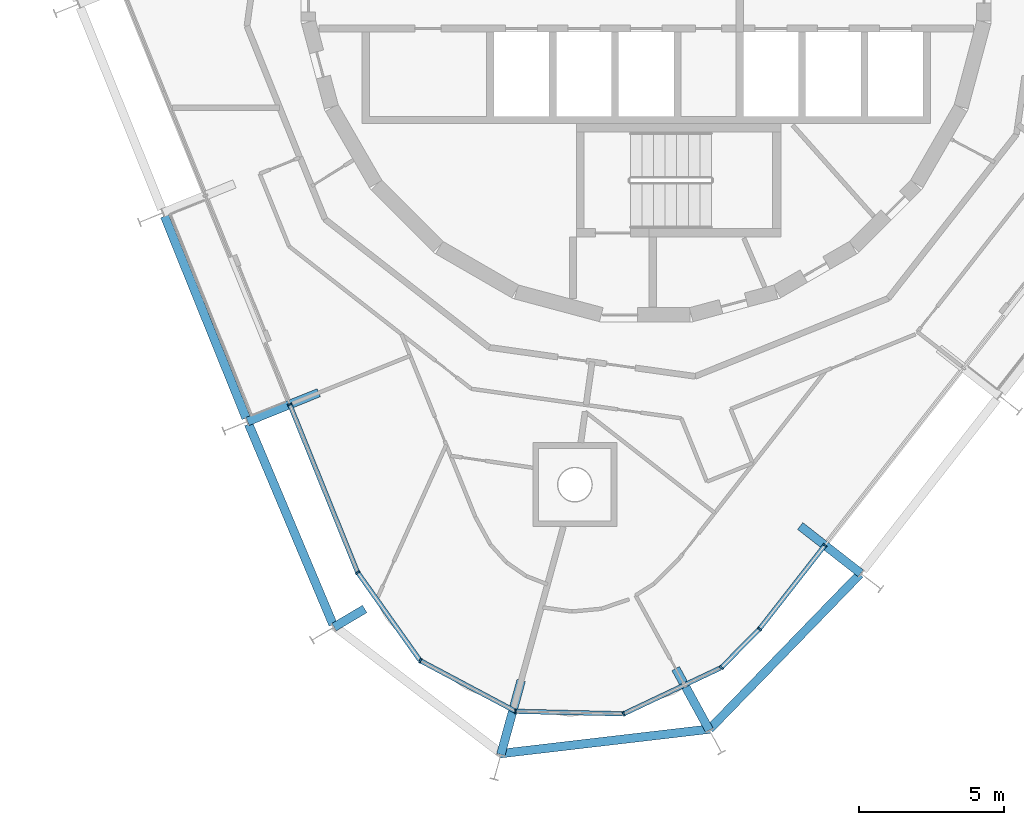
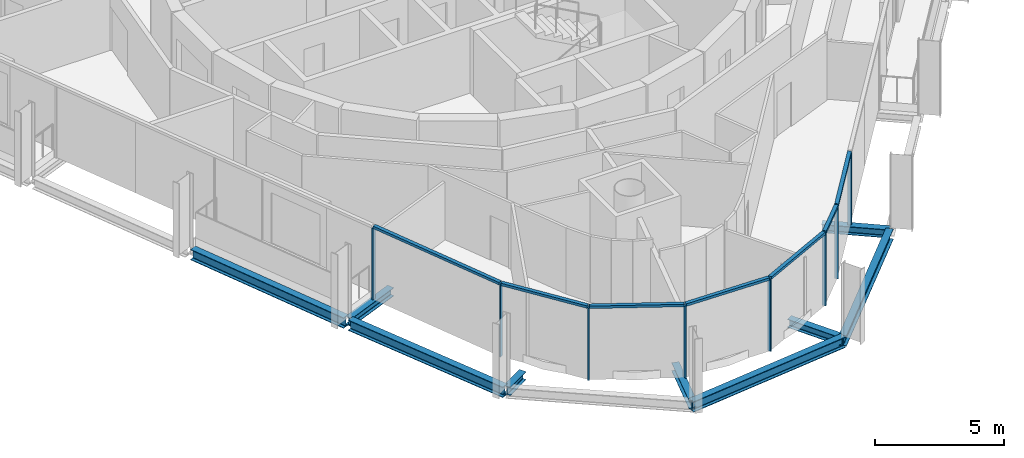
# One storey, part 2 of 15: 15 members, 9 beams, 2 elements without a shape of their own.
"""IFC4 building model written with IfcOpenShell, lengths in metres."""

from ifc_helpers import new_model, si_unit, direction, frame, origin, origin_2d, place, context, subcontext, project, spatial, rectangle, i_section, extrude, material, layer, layer_set, material_profile, profile_set, type_object, element, aggregate, save


model = new_model("IFC4")

# Units and contexts
model_context = context("Model", 3, precision=1e-05, world=origin(), true_north=direction((0.0, 1.0)))
body_context = subcontext(model_context, "Body", "Model", "MODEL_VIEW")
ifc_project = project(units=[si_unit("LENGTHUNIT", "METRE"), si_unit("AREAUNIT", "SQUARE_METRE"), si_unit("VOLUMEUNIT", "CUBIC_METRE"), si_unit("PLANEANGLEUNIT", "RADIAN"), si_unit("MASSUNIT", "GRAM", prefix="KILO")], contexts=[model_context])

# Site, building, storey
site_placement = place(None, origin())
site = spatial("IfcSite", under=ifc_project, at=site_placement, CompositionType="ELEMENT")
building_placement = place(site_placement, origin())
building = spatial("IfcBuilding", under=site, at=building_placement, Name="Spindle Arch Residences", CompositionType="ELEMENT")
storey_placement = place(building_placement, frame((0.0, 0.0, 350.5)))
storey = spatial("IfcBuildingStorey", under=building, at=storey_placement, Name="L90", CompositionType="ELEMENT", Elevation=350.5)

# Curtain wall, members
ifc_material_1 = material(Name="Aluminium bronze unitised frame with tinted glass", Category="aluminium")
ifc_layer_1 = layer(ifc_material_1, 0.159912109375)
ifc_layer_set_1 = layer_set([ifc_layer_1], Name="CW-D corner wall on the fillet arcs")
curtain_wall_type_1 = type_object("IfcCurtainWallType", Name="CW-D corner wall on the fillet arcs", PredefinedType="NOTDEFINED", material=ifc_layer_set_1)
curtain_wall_1_placement = place(storey_placement, origin())
curtain_wall_1 = element("IfcCurtainWall", 1, at=curtain_wall_1_placement, inside=storey, type_object=curtain_wall_type_1, Name="CW-D L90 run 5", PredefinedType="NOTDEFINED")
ifc_material_2 = material(Name="Aluminium bronze anodised mullion", Category="aluminium")
ifc_material_profile_1 = material_profile(ifc_material_2, rectangle(XDim=0.159912109375, YDim=0.06005859375, at=origin_2d()), Name="MU 60x160")
ifc_profile_set_1 = profile_set([ifc_material_profile_1], Name="Aluminium bronze anodised mullion")
member_type_1 = type_object("IfcMemberType", Name="Bronze mullion 60x160", PredefinedType="MULLION", material=ifc_profile_set_1)
member_1_placement = place(storey_placement, frame((-12.292724609375, -14.73779296875, -0.3798828125), z_axis=(0.0, 0.0, 1.0), x_axis=(0.927183854567, 0.374606593416, 0.0)))
member_1 = element("IfcMember", 2, at=member_1_placement, type_object=member_type_1, Name="CW-D mullion 00", PredefinedType="MULLION", context=body_context, shape_type="SweptSolid", body=[
    extrude(rectangle(XDim=0.159912109375, YDim=0.06005859375, at=origin_2d()), origin(), (0.0, 0.0, 1.0), 3.3798828125),
])
member_2_placement = place(storey_placement, frame((-9.951904296875, -20.53173828125, -0.3798828125), z_axis=(0.0, 0.0, 1.0), x_axis=(0.815801266332, 0.578332338584, 0.0)))
member_2 = element("IfcMember", 3, at=member_2_placement, type_object=member_type_1, Name="CW-D mullion 01", PredefinedType="MULLION", context=body_context, shape_type="SweptSolid", body=[
    extrude(rectangle(XDim=0.159912109375, YDim=0.06005859375, at=origin_2d()), origin(), (0.0, 0.0, 1.0), 3.3798828125),
])
member_3_placement = place(storey_placement, frame((-7.79638671875, -23.572021484375, -0.3798828125), z_axis=(0.0, 0.0, 1.0), x_axis=(0.469471563633, 0.882947592408, 0.0)))
member_3 = element("IfcMember", 4, at=member_3_placement, type_object=member_type_1, Name="CW-D mullion 02", PredefinedType="MULLION", context=body_context, shape_type="SweptSolid", body=[
    extrude(rectangle(XDim=0.159912109375, YDim=0.06005859375, at=origin_2d()), origin(), (0.0, 0.0, 1.0), 3.3798828125),
])
member_4_placement = place(storey_placement, frame((-4.505859375, -25.321533203125, -0.3798828125), z_axis=(0.0, 0.0, 1.0), x_axis=(0.023268959422, 0.999729241109, 0.0)))
member_4 = element("IfcMember", 5, at=member_4_placement, type_object=member_type_1, Name="CW-D mullion 03", PredefinedType="MULLION", context=body_context, shape_type="SweptSolid", body=[
    extrude(rectangle(XDim=0.159912109375, YDim=0.06005859375, at=origin_2d()), origin(), (0.0, 0.0, 1.0), 3.3798828125),
])
member_5_placement = place(storey_placement, frame((-0.7802734375, -25.408203125, -0.3798828125), z_axis=(0.0, 0.0, 1.0), x_axis=(-0.427883767902, 0.903833768547, 0.0)))
member_5 = element("IfcMember", 6, at=member_5_placement, type_object=member_type_1, Name="CW-D mullion 04", PredefinedType="MULLION", context=body_context, shape_type="SweptSolid", body=[
    extrude(rectangle(XDim=0.159912109375, YDim=0.06005859375, at=origin_2d()), origin(), (0.0, 0.0, 1.0), 3.3798828125),
])
member_6_placement = place(storey_placement, frame((2.588134765625, -23.813720703125, -0.3798828125), z_axis=(0.0, 0.0, 1.0), x_axis=(-0.711208575748, 0.702981053644, 0.0)))
member_6 = element("IfcMember", 7, at=member_6_placement, type_object=member_type_1, Name="CW-D mullion 05", PredefinedType="MULLION", context=body_context, shape_type="SweptSolid", body=[
    extrude(rectangle(XDim=0.159912109375, YDim=0.06005859375, at=origin_2d()), origin(), (0.0, 0.0, 1.0), 3.3798828125),
])
member_7_placement = place(storey_placement, frame((3.906982421875, -22.479248046875, -0.3798828125), z_axis=(0.0, 0.0, 1.0), x_axis=(-0.788010753607, 0.615661475326, 0.0)))
member_7 = element("IfcMember", 8, at=member_7_placement, type_object=member_type_1, Name="CW-D mullion 06", PredefinedType="MULLION", context=body_context, shape_type="SweptSolid", body=[
    extrude(rectangle(XDim=0.159912109375, YDim=0.06005859375, at=origin_2d()), origin(), (0.0, 0.0, 1.0), 3.3798828125),
])

# Curtain wall, member
ifc_material_3 = material(Name="Aluminium bronze unitised frame with tinted glass", Category="aluminium")
ifc_layer_2 = layer(ifc_material_3, 0.159912109375)
ifc_layer_set_2 = layer_set([ifc_layer_2], Name="CW-C typical residential unitised wall")
curtain_wall_type_2 = type_object("IfcCurtainWallType", Name="CW-C typical residential unitised wall", PredefinedType="NOTDEFINED", material=ifc_layer_set_2)
curtain_wall_2_placement = place(storey_placement, origin())
curtain_wall_2 = element("IfcCurtainWall", 9, at=curtain_wall_2_placement, inside=storey, type_object=curtain_wall_type_2, Name="CW-C L90 run 6", PredefinedType="NOTDEFINED")
member_8_placement = place(storey_placement, frame((6.160400390625, -19.594970703125, -0.3798828125), z_axis=(0.0, 0.0, 1.0), x_axis=(-0.788010753607, 0.615661475326, 0.0)))
member_8 = element("IfcMember", 10, at=member_8_placement, type_object=member_type_1, Name="CW-C mullion 18", PredefinedType="MULLION", context=body_context, shape_type="SweptSolid", body=[
    extrude(rectangle(XDim=0.159912109375, YDim=0.06005859375, at=origin_2d()), origin(), (0.0, 0.0, 1.0), 3.3798828125),
])
aggregate(curtain_wall_2, [member_8])

# Member
ifc_material_4 = material(Name="Aluminium bronze anodised transom", Category="aluminium")
ifc_material_profile_2 = material_profile(ifc_material_4, rectangle(XDim=0.159912109375, YDim=0.1201171875, at=origin_2d()), Name="TR 120x160")
ifc_profile_set_2 = profile_set([ifc_material_profile_2], Name="Aluminium bronze anodised transom")
member_type_2 = type_object("IfcMemberType", Name="Bronze transom 120x160", PredefinedType="USERDEFINED", material=ifc_profile_set_2)
member_9_placement = place(storey_placement, frame((-12.28125, -14.765625, 3.06005859375), z_axis=(0.374564798487, -0.927200739719, 0.0), x_axis=(0.927200739719, 0.374564798487, 0.0)))
member_9 = element("IfcMember", 11, at=member_9_placement, type_object=member_type_2, Name="CW-D transom 00", ObjectType="TRANSOM", PredefinedType="USERDEFINED", context=body_context, shape_type="SweptSolid", body=[
    extrude(rectangle(XDim=0.159912109375, YDim=0.1201171875, at=origin_2d()), origin(), (0.0, 0.0, 1.0), 6.188720703125),
])

member_10_placement = place(storey_placement, frame((-9.934326171875, -20.55615234375, 3.06005859375), z_axis=(0.578349828601, -0.815788867145, 0.0), x_axis=(0.815788867145, 0.578349828601, 0.0)))
member_10 = element("IfcMember", 12, at=member_10_placement, type_object=member_type_2, Name="CW-D transom 01", ObjectType="TRANSOM", PredefinedType="USERDEFINED", context=body_context, shape_type="SweptSolid", body=[
    extrude(rectangle(XDim=0.159912109375, YDim=0.1201171875, at=origin_2d()), origin(), (0.0, 0.0, 1.0), 3.666748046875),
])

member_11_placement = place(storey_placement, frame((-7.77001953125, -23.5859375, 3.06005859375), z_axis=(0.882947559001, -0.469471626463, 0.0), x_axis=(0.469471626463, 0.882947559001, 0.0)))
member_11 = element("IfcMember", 13, at=member_11_placement, type_object=member_type_2, Name="CW-D transom 02", ObjectType="TRANSOM", PredefinedType="USERDEFINED", context=body_context, shape_type="SweptSolid", body=[
    extrude(rectangle(XDim=0.159912109375, YDim=0.1201171875, at=origin_2d()), origin(), (0.0, 0.0, 1.0), 3.666748046875),
])

member_12_placement = place(storey_placement, frame((-4.47607421875, -25.322265625, 3.06005859375), z_axis=(0.999729981043, -0.023237147079, 0.0), x_axis=(0.023237147079, 0.999729981043, 0.0)))
member_12 = element("IfcMember", 14, at=member_12_placement, type_object=member_type_2, Name="CW-D transom 03", ObjectType="TRANSOM", PredefinedType="USERDEFINED", context=body_context, shape_type="SweptSolid", body=[
    extrude(rectangle(XDim=0.159912109375, YDim=0.1201171875, at=origin_2d()), origin(), (0.0, 0.0, 1.0), 3.666748046875),
])

member_13_placement = place(storey_placement, frame((-0.753173828125, -25.3955078125, 3.06005859375), z_axis=(0.903821874806, 0.427908890562, 0.0), x_axis=(-0.427908890562, 0.903821874806, 0.0)))
member_13 = element("IfcMember", 15, at=member_13_placement, type_object=member_type_2, Name="CW-D transom 04", ObjectType="TRANSOM", PredefinedType="USERDEFINED", context=body_context, shape_type="SweptSolid", body=[
    extrude(rectangle(XDim=0.159912109375, YDim=0.1201171875, at=origin_2d()), origin(), (0.0, 0.0, 1.0), 3.6669921875),
])

member_14_placement = place(storey_placement, frame((2.609130859375, -23.792236328125, 3.06005859375), z_axis=(0.703062417903, 0.711128143539, 0.0), x_axis=(-0.711128143539, 0.703062417903, 0.0)))
member_14 = element("IfcMember", 16, at=member_14_placement, type_object=member_type_2, Name="CW-D transom 05", ObjectType="TRANSOM", PredefinedType="USERDEFINED", context=body_context, shape_type="SweptSolid", body=[
    extrude(rectangle(XDim=0.159912109375, YDim=0.1201171875, at=origin_2d()), origin(), (0.0, 0.0, 1.0), 1.816162109375),
])

member_15_placement = place(storey_placement, frame((3.925537109375, -22.455810546875, 3.06005859375), z_axis=(0.615647989673, 0.788021289568, 0.0), x_axis=(-0.788021289568, 0.615647989673, 0.0)))
member_15 = element("IfcMember", 17, at=member_15_placement, type_object=member_type_2, Name="CW-D transom 06", ObjectType="TRANSOM", PredefinedType="USERDEFINED", context=body_context, shape_type="SweptSolid", body=[
    extrude(rectangle(XDim=0.159912109375, YDim=0.1201171875, at=origin_2d()), origin(), (0.0, 0.0, 1.0), 3.600341796875),
])

aggregate(curtain_wall_1, [member_1, member_9, member_2, member_10, member_3, member_11, member_4, member_12, member_5, member_13, member_6, member_14, member_7, member_15])

# Beams
ifc_material_5 = material(Name="Steel S460ML, intumescent coating R 120", Category="steel")
ifc_material_profile_3 = material_profile(ifc_material_5, i_section(OverallWidth=0.300048828125, OverallDepth=0.5, WebThickness=0.014404296875, FlangeThickness=0.028076171875, FilletRadius=0.027099609375, at=origin_2d()), Name="HEB 500")
ifc_profile_set_3 = profile_set([ifc_material_profile_3], Name="Steel S460ML, intumescent coating R 120")
beam_type_1 = type_object("IfcBeamType", Name="Exoskeleton edge beam HEB 500", PredefinedType="BEAM", material=ifc_profile_set_3)
beam_1_placement = place(storey_placement, frame((-16.608642578125, -8.24658203125, -0.6298828125), z_axis=(0.374596427458, -0.927187961816, 0.0), x_axis=(0.927187961816, 0.374596427458, 0.0)))
element("IfcBeam", 18, at=beam_1_placement, inside=storey, type_object=beam_type_1, Name="Exoskeleton edge beam 14", PredefinedType="BEAM", context=body_context, shape_type="SweptSolid", body=[
    extrude(i_section(OverallWidth=0.300048828125, OverallDepth=0.5, WebThickness=0.014404296875, FlangeThickness=0.028076171875, FilletRadius=0.027099609375, at=origin_2d()), origin(), (0.0, 0.0, 1.0), 7.50537109375),
])
beam_2_placement = place(storey_placement, frame((-13.711669921875, -15.4150390625, -0.6298828125), z_axis=(0.388148671876, -0.92159677111, 0.0), x_axis=(0.92159677111, 0.388148671876, 0.0)))
element("IfcBeam", 19, at=beam_2_placement, inside=storey, type_object=beam_type_1, Name="Exoskeleton edge beam 15", PredefinedType="BEAM", context=body_context, shape_type="SweptSolid", body=[
    extrude(i_section(OverallWidth=0.300048828125, OverallDepth=0.5, WebThickness=0.014404296875, FlangeThickness=0.028076171875, FilletRadius=0.027099609375, at=origin_2d()), origin(), (0.0, 0.0, 1.0), 7.500732421875),
])
beam_3_placement = place(storey_placement, frame((-5.0556640625, -26.78271484375, -0.6298828125), z_axis=(0.993205848316, 0.116370713117, 0.0), x_axis=(-0.116370713117, 0.993205848316, 0.0)))
element("IfcBeam", 20, at=beam_3_placement, inside=storey, type_object=beam_type_1, Name="Exoskeleton edge beam 17", PredefinedType="BEAM", context=body_context, shape_type="SweptSolid", body=[
    extrude(i_section(OverallWidth=0.300048828125, OverallDepth=0.5, WebThickness=0.014404296875, FlangeThickness=0.028076171875, FilletRadius=0.027099609375, at=origin_2d()), origin(), (0.0, 0.0, 1.0), 7.315673828125),
])
beam_4_placement = place(storey_placement, frame((2.19091796875, -25.927001953125, -0.6298828125), z_axis=(0.696374951776, 0.717678149688, 0.0), x_axis=(-0.717678149688, 0.696374951776, 0.0)))
element("IfcBeam", 21, at=beam_4_placement, inside=storey, type_object=beam_type_1, Name="Exoskeleton edge beam 18", PredefinedType="BEAM", context=body_context, shape_type="SweptSolid", body=[
    extrude(i_section(OverallWidth=0.300048828125, OverallDepth=0.5, WebThickness=0.014404296875, FlangeThickness=0.028076171875, FilletRadius=0.027099609375, at=origin_2d()), origin(), (0.0, 0.0, 1.0), 7.437744140625),
])
ifc_material_6 = material(Name="Steel S460ML, intumescent coating R 120", Category="steel")
ifc_material_profile_4 = material_profile(ifc_material_6, i_section(OverallWidth=0.300048828125, OverallDepth=0.389892578125, WebThickness=0.010986328125, FlangeThickness=0.01904296875, FilletRadius=0.027099609375, at=origin_2d()), Name="HEA 400")
ifc_profile_set_4 = profile_set([ifc_material_profile_4], Name="Steel S460ML, intumescent coating R 120")
beam_type_2 = type_object("IfcBeamType", Name="Floor outrigger HEA 400", PredefinedType="BEAM", material=ifc_profile_set_4)
beam_5_placement = place(storey_placement, frame((-13.748291015625, -15.325927734375, -0.574951171875), z_axis=(0.927187692393, 0.374597094323, 0.0), x_axis=(-0.374597094323, 0.927187692393, 0.0)))
element("IfcBeam", 22, at=beam_5_placement, inside=storey, type_object=beam_type_2, Name="Floor outrigger 15", PredefinedType="BEAM", context=body_context, shape_type="SweptSolid", body=[
    extrude(i_section(OverallWidth=0.300048828125, OverallDepth=0.389892578125, WebThickness=0.010986328125, FlangeThickness=0.01904296875, FilletRadius=0.027099609375, at=origin_2d()), origin(), (0.0, 0.0, 1.0), 2.64990234375),
])
beam_6_placement = place(storey_placement, frame((-10.765869140625, -22.417724609375, -0.574951171875), z_axis=(0.860752508727, 0.509023691709, 0.0), x_axis=(-0.509023691709, 0.860752508727, 0.0)))
element("IfcBeam", 23, at=beam_6_placement, inside=storey, type_object=beam_type_2, Name="Floor outrigger 16", PredefinedType="BEAM", context=body_context, shape_type="SweptSolid", body=[
    extrude(i_section(OverallWidth=0.300048828125, OverallDepth=0.389892578125, WebThickness=0.010986328125, FlangeThickness=0.01904296875, FilletRadius=0.027099609375, at=origin_2d()), origin(), (0.0, 0.0, 1.0), 1.229248046875),
])
beam_7_placement = place(storey_placement, frame((-5.01318359375, -26.810791015625, -0.574951171875), z_axis=(0.2645204188, 0.964380084841, 0.0), x_axis=(-0.964380084841, 0.2645204188, 0.0)))
element("IfcBeam", 24, at=beam_7_placement, inside=storey, type_object=beam_type_2, Name="Floor outrigger 17", PredefinedType="BEAM", context=body_context, shape_type="SweptSolid", body=[
    extrude(i_section(OverallWidth=0.300048828125, OverallDepth=0.389892578125, WebThickness=0.010986328125, FlangeThickness=0.01904296875, FilletRadius=0.027099609375, at=origin_2d()), origin(), (0.0, 0.0, 1.0), 2.64990234375),
])
beam_8_placement = place(storey_placement, frame((2.175537109375, -25.968505859375, -0.574951171875), z_axis=(-0.48032201602, 0.877092219169, 0.0), x_axis=(-0.877092219169, -0.48032201602, 0.0)))
element("IfcBeam", 25, at=beam_8_placement, inside=storey, type_object=beam_type_2, Name="Floor outrigger 18", PredefinedType="BEAM", context=body_context, shape_type="SweptSolid", body=[
    extrude(i_section(OverallWidth=0.300048828125, OverallDepth=0.389892578125, WebThickness=0.010986328125, FlangeThickness=0.01904296875, FilletRadius=0.027099609375, at=origin_2d()), origin(), (0.0, 0.0, 1.0), 2.41943359375),
])
beam_9_placement = place(storey_placement, frame((7.397705078125, -20.561767578125, -0.574951171875), z_axis=(-0.788015993799, 0.615654768127, 0.0), x_axis=(-0.615654768127, -0.788015993799, 0.0)))
element("IfcBeam", 26, at=beam_9_placement, inside=storey, type_object=beam_type_2, Name="Floor outrigger 19", PredefinedType="BEAM", context=body_context, shape_type="SweptSolid", body=[
    extrude(i_section(OverallWidth=0.300048828125, OverallDepth=0.389892578125, WebThickness=0.010986328125, FlangeThickness=0.01904296875, FilletRadius=0.027099609375, at=origin_2d()), origin(), (0.0, 0.0, 1.0), 2.650146484375),
])

save(model, "model.ifc")
